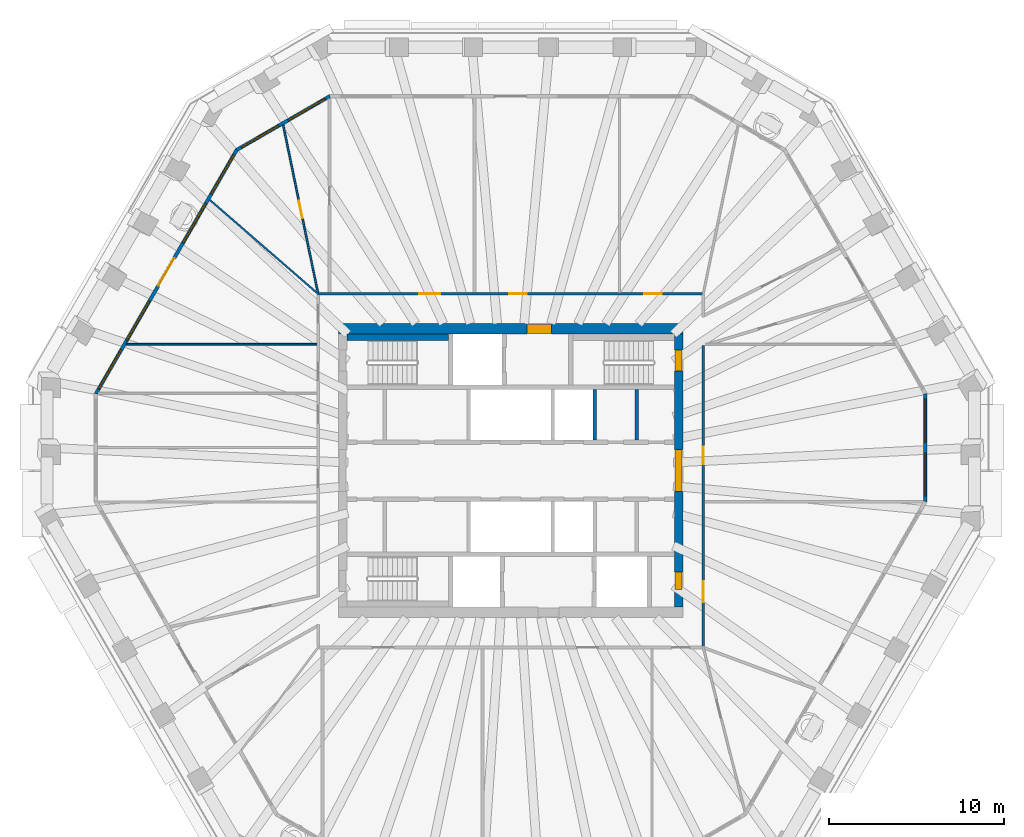
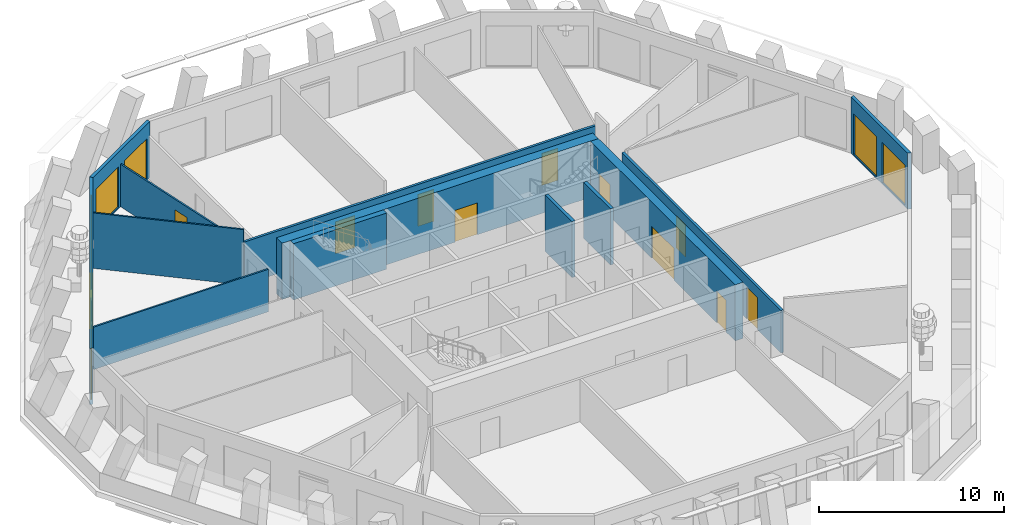
# One storey, part 6 of 12: 13 walls, 11 doors, 9 windows, 20 openings.
"""IFC4 building model written with IfcOpenShell, lengths in metres."""

from ifc_helpers import new_model, si_unit, direction, frame, frame_2d, origin, place, context, subcontext, project, spatial, polyline, rectangle, outline, extrude, material, layer, layer_set, type_object, element, fill, save


model = new_model("IFC4")

# Units and contexts
model_context = context("Model", 3, precision=1e-05, world=origin(), true_north=direction((0.0, 1.0)))
body_context = subcontext(model_context, "Body", "Model", "MODEL_VIEW")
ifc_project = project(units=[si_unit("LENGTHUNIT", "METRE"), si_unit("AREAUNIT", "SQUARE_METRE"), si_unit("VOLUMEUNIT", "CUBIC_METRE"), si_unit("PLANEANGLEUNIT", "RADIAN"), si_unit("MASSUNIT", "GRAM", prefix="KILO")], contexts=[model_context])

# Site, building, storey
site_placement = place(None, origin())
site = spatial("IfcSite", under=ifc_project, at=site_placement, CompositionType="ELEMENT")
building_placement = place(site_placement, origin())
building = spatial("IfcBuilding", under=site, at=building_placement, Name="Frailejon Research Tower", CompositionType="ELEMENT")
storey_placement = place(building_placement, frame((0.0, 0.0, 253.39990234375)))
storey = spatial("IfcBuildingStorey", under=building, at=storey_placement, Name="L55", CompositionType="ELEMENT", Elevation=253.39990234375)

# Wall, openings, doors
ifc_material_1 = material(Name="Concrete C50/60", Category="concrete")
ifc_layer_1 = layer(ifc_material_1, 0.5)
ifc_layer_set_1 = layer_set([ifc_layer_1], Name="Core shear wall 500 C50/60")
wall_type_1 = type_object("IfcWallType", Name="Core shear wall 500 C50/60", PredefinedType="SHEAR", material=ifc_layer_set_1)
wall_1_placement = place(storey_placement, frame((9.60009765625, -7.800048828125, 0.0), z_axis=(0.0, 0.0, 1.0), x_axis=(0.0, 1.0, 0.0)))
wall_1 = element("IfcWall", 1, at=wall_1_placement, inside=storey, type_object=wall_type_1, Name="Core shear wall", PredefinedType="SHEAR", context=body_context, shape_type="SweptSolid", body=[
    extrude(rectangle(XDim=15.60009765625, YDim=0.5, at=frame_2d((7.800048828125, 0.0))), origin(), (0.0, 0.0, 1.0), 3.7001953125),
])
opening_1_placement = place(wall_1_placement, frame((6.60009765625, 0.0, 0.0)))
opening_1 = element("IfcOpeningElement", 2, at=opening_1_placement, cuts=wall_1, Name="Opening D2", PredefinedType="OPENING", context=body_context, shape_type="SweptSolid", body=[
    extrude(rectangle(XDim=2.39990234375, YDim=2.10009765625, at=frame_2d((1.199951171875, 1.050048828125))), frame((0.0, 0.260009765625, 0.0), z_axis=(0.0, -1.0, 0.0), x_axis=(1.0, 0.0, 0.0)), (0.0, 0.0, 1.0), 0.52001953125),
])
opening_2_placement = place(wall_1_placement, frame((13.5, 0.0, 0.0)))
opening_2 = element("IfcOpeningElement", 3, at=opening_2_placement, cuts=wall_1, Name="Opening D1", PredefinedType="OPENING", context=body_context, shape_type="SweptSolid", body=[
    extrude(rectangle(XDim=1.199951171875, YDim=2.10009765625, at=frame_2d((0.60009765625, 1.050048828125))), frame((0.0, 0.260009765625, 0.0), z_axis=(0.0, -1.0, 0.0), x_axis=(1.0, 0.0, 0.0)), (0.0, 0.0, 1.0), 0.52001953125),
])
opening_3_placement = place(wall_1_placement, frame((1.0, 0.0, 0.0)))
opening_3 = element("IfcOpeningElement", 4, at=opening_3_placement, cuts=wall_1, Name="Opening D4", PredefinedType="OPENING", context=body_context, shape_type="SweptSolid", body=[
    extrude(rectangle(XDim=1.0, YDim=2.10009765625, at=frame_2d((0.5, 1.050048828125))), frame((0.0, 0.260009765625, 0.0), z_axis=(0.0, -1.0, 0.0), x_axis=(1.0, 0.0, 0.0)), (0.0, 0.0, 1.0), 0.52001953125),
])
ifc_material_2 = material(Name="Steel", Category="steel")
door_type_1 = type_object("IfcDoorType", Name="Lobby double door", OperationType="DOUBLE_DOOR_SINGLE_SWING", PredefinedType="DOOR", material=ifc_material_2)
door_1_placement = place(opening_1_placement, origin())
door_1 = element("IfcDoor", 5, at=door_1_placement, inside=storey, type_object=door_type_1, Name="Lobby door", OperationType="DOUBLE_DOOR_SINGLE_SWING", OverallHeight=2.10009765625, OverallWidth=2.39990234375, PredefinedType="DOOR", context=body_context, shape_type="SweptSolid", body=[
    extrude(rectangle(XDim=2.39990234375, YDim=2.10009765625, at=frame_2d((1.199951171875, 1.050048828125))), frame((0.0, 0.199951171875, 0.0), z_axis=(0.0, -1.0, 0.0), x_axis=(1.0, 0.0, 0.0)), (0.0, 0.0, 1.0), 0.39990234375),
])
fill(opening_1, door_1)
ifc_material_3 = material(Name="Steel", Category="steel")
door_type_2 = type_object("IfcDoorType", Name="Service door", OperationType="SINGLE_SWING_LEFT", PredefinedType="DOOR", material=ifc_material_3)
door_2_placement = place(opening_3_placement, origin())
door_2 = element("IfcDoor", 6, at=door_2_placement, inside=storey, type_object=door_type_2, Name="Riser door", OperationType="SINGLE_SWING_LEFT", OverallHeight=2.10009765625, OverallWidth=1.0, PredefinedType="DOOR", context=body_context, shape_type="SweptSolid", body=[
    extrude(rectangle(XDim=1.0, YDim=2.10009765625, at=frame_2d((0.5, 1.050048828125))), frame((0.0, 0.199951171875, 0.0), z_axis=(0.0, -1.0, 0.0), x_axis=(1.0, 0.0, 0.0)), (0.0, 0.0, 1.0), 0.39990234375),
])
fill(opening_3, door_2)
ifc_material_4 = material(Name="Steel", Category="steel")
door_type_3 = type_object("IfcDoorType", Name="Stair door", OperationType="SINGLE_SWING_LEFT", PredefinedType="DOOR", material=ifc_material_4)
door_3_placement = place(opening_2_placement, origin())
door_3 = element("IfcDoor", 7, at=door_3_placement, inside=storey, type_object=door_type_3, Name="Stair door ST3", OperationType="SINGLE_SWING_RIGHT", OverallHeight=2.10009765625, OverallWidth=1.199951171875, PredefinedType="DOOR", context=body_context, shape_type="SweptSolid", body=[
    extrude(rectangle(XDim=1.199951171875, YDim=2.10009765625, at=frame_2d((0.60009765625, 1.050048828125))), frame((0.0, 0.199951171875, 0.0), z_axis=(0.0, -1.0, 0.0), x_axis=(1.0, 0.0, 0.0)), (0.0, 0.0, 1.0), 0.39990234375),
])
fill(opening_2, door_3)

# Wall, opening, door
ifc_material_5 = material(Name="Concrete C50/60", Category="concrete")
ifc_layer_2 = layer(ifc_material_5, 0.60009765625)
ifc_layer_set_2 = layer_set([ifc_layer_2], Name="Core shear wall 600 C50/60")
wall_type_2 = type_object("IfcWallType", Name="Core shear wall 600 C50/60", PredefinedType="SHEAR", material=ifc_layer_set_2)
wall_2_placement = place(storey_placement, frame((-9.85009765625, 8.10009765625, 0.0), z_axis=(0.0, 0.0, 1.0), x_axis=(1.0, 0.0, 0.0)))
wall_2 = element("IfcWall", 8, at=wall_2_placement, inside=storey, type_object=wall_type_2, Name="Core shear wall", PredefinedType="SHEAR", context=body_context, shape_type="SweptSolid", body=[
    extrude(rectangle(XDim=19.7001953125, YDim=0.60009765625, at=frame_2d((9.85009765625, 0.0))), origin(), (0.0, 0.0, 1.0), 3.7001953125),
])
opening_4_placement = place(wall_2_placement, frame((10.77490234375, 0.0, 0.0)))
opening_4 = element("IfcOpeningElement", 9, at=opening_4_placement, cuts=wall_2, Name="Opening D9", PredefinedType="OPENING", context=body_context, shape_type="SweptSolid", body=[
    extrude(rectangle(XDim=1.39990234375, YDim=2.10009765625, at=frame_2d((0.699951171875, 1.050048828125))), frame((0.0, 0.31005859375, 0.0), z_axis=(0.0, -1.0, 0.0), x_axis=(1.0, 0.0, 0.0)), (0.0, 0.0, 1.0), 0.6201171875),
])
ifc_material_6 = material(Name="Steel", Category="steel")
door_type_4 = type_object("IfcDoorType", Name="Goods lobby door", OperationType="DOUBLE_DOOR_SINGLE_SWING", PredefinedType="DOOR", material=ifc_material_6)
door_4_placement = place(opening_4_placement, origin())
door_4 = element("IfcDoor", 10, at=door_4_placement, inside=storey, type_object=door_type_4, Name="Goods lobby door", OperationType="DOUBLE_DOOR_SINGLE_SWING", OverallHeight=2.10009765625, OverallWidth=1.39990234375, PredefinedType="DOOR", context=body_context, shape_type="SweptSolid", body=[
    extrude(rectangle(XDim=1.39990234375, YDim=2.10009765625, at=frame_2d((0.699951171875, 1.050048828125))), frame((0.0, 0.25, 0.0), z_axis=(0.0, -1.0, 0.0), x_axis=(1.0, 0.0, 0.0)), (0.0, 0.0, 1.0), 0.5),
])
fill(opening_4, door_4)

# Wall, openings, doors
ifc_material_7 = material(Name="Gypsum board and masonry partition", Category="masonry")
ifc_layer_3 = layer(ifc_material_7, 0.14990234375)
ifc_layer_set_3 = layer_set([ifc_layer_3], Name="Corridor wall EI 60, gypsum on steel studs 150")
wall_type_3 = type_object("IfcWallType", Name="Corridor wall EI 60, gypsum on steel studs 150", PredefinedType="PARTITIONING", material=ifc_layer_set_3)
wall_3_placement = place(storey_placement, frame((11.0, -10.02490234375, 0.0), z_axis=(0.0, 0.0, 1.0), x_axis=(0.0, 1.0, 0.0)))
wall_3 = element("IfcWall", 11, at=wall_3_placement, inside=storey, type_object=wall_type_3, Name="T:IW:L55:005", PredefinedType="PARTITIONING", context=body_context, shape_type="SweptSolid", body=[
    extrude(rectangle(XDim=17.1748046875, YDim=0.14990234375, at=frame_2d((8.58740234375, 0.0))), origin(), (0.0, 0.0, 1.0), 2.800048828125),
])
opening_5_placement = place(wall_3_placement, frame((10.39990234375, 0.0, 0.0)))
opening_5 = element("IfcOpeningElement", 12, at=opening_5_placement, cuts=wall_3, Name="Opening D2071", PredefinedType="OPENING", context=body_context, shape_type="SweptSolid", body=[
    extrude(rectangle(XDim=1.0, YDim=2.10009765625, at=frame_2d((0.5, 1.050048828125))), frame((0.0, 0.0849609375, 0.0), z_axis=(0.0, -1.0, 0.0), x_axis=(1.0, 0.0, 0.0)), (0.0, 0.0, 1.0), 0.169921875),
])
opening_6_placement = place(wall_3_placement, frame((2.520751953125, 0.0, 0.0)))
opening_6 = element("IfcOpeningElement", 13, at=opening_6_placement, cuts=wall_3, Name="Opening D2090", PredefinedType="OPENING", context=body_context, shape_type="SweptSolid", body=[
    extrude(rectangle(XDim=1.199951171875, YDim=2.10009765625, at=frame_2d((0.60009765625, 1.050048828125))), frame((0.0, 0.0849609375, 0.0), z_axis=(0.0, -1.0, 0.0), x_axis=(1.0, 0.0, 0.0)), (0.0, 0.0, 1.0), 0.169921875),
])
ifc_material_8 = material(Name="Timber door leaf", Category="wood")
door_type_5 = type_object("IfcDoorType", Name="Door laboratory, timber, vision panel 1200", OperationType="NOTDEFINED", PredefinedType="DOOR", material=ifc_material_8)
door_5_placement = place(opening_6_placement, origin())
door_5 = element("IfcDoor", 14, at=door_5_placement, inside=storey, type_object=door_type_5, Name="D2090", OperationType="DOUBLE_DOOR_SINGLE_SWING", OverallHeight=2.10009765625, OverallWidth=1.199951171875, PredefinedType="DOOR", context=body_context, shape_type="SweptSolid", body=[
    extrude(rectangle(XDim=1.199951171875, YDim=2.10009765625, at=frame_2d((0.60009765625, 1.050048828125))), frame((0.0, 0.02490234375, 0.0), z_axis=(0.0, -1.0, 0.0), x_axis=(1.0, 0.0, 0.0)), (0.0, 0.0, 1.0), 0.050048828125),
])
fill(opening_6, door_5)
ifc_material_9 = material(Name="Timber door leaf", Category="wood")
door_type_6 = type_object("IfcDoorType", Name="Door single leaf, timber, steel frame 1000", OperationType="NOTDEFINED", PredefinedType="DOOR", material=ifc_material_9)
door_6_placement = place(opening_5_placement, origin())
door_6 = element("IfcDoor", 15, at=door_6_placement, inside=storey, type_object=door_type_6, Name="D2071", OperationType="SINGLE_SWING_RIGHT", OverallHeight=2.10009765625, OverallWidth=1.0, PredefinedType="DOOR", context=body_context, shape_type="SweptSolid", body=[
    extrude(rectangle(XDim=1.0, YDim=2.10009765625, at=frame_2d((0.5, 1.050048828125))), frame((0.0, 0.02490234375, 0.0), z_axis=(0.0, -1.0, 0.0), x_axis=(1.0, 0.0, 0.0)), (0.0, 0.0, 1.0), 0.050048828125),
])
fill(opening_5, door_6)

wall_4_placement = place(storey_placement, frame((-10.925048828125, 10.10009765625, 0.0), z_axis=(0.0, 0.0, 1.0), x_axis=(1.0, 0.0, 0.0)))
wall_4 = element("IfcWall", 16, at=wall_4_placement, inside=storey, type_object=wall_type_3, Name="T:IW:L55:007", PredefinedType="PARTITIONING", context=body_context, shape_type="SweptSolid", body=[
    extrude(rectangle(XDim=21.875, YDim=0.14990234375, at=frame_2d((10.9375, 0.0))), origin(), (0.0, 0.0, 1.0), 2.800048828125),
])
opening_7_placement = place(wall_4_placement, frame((18.568115234375, 0.0, 0.0)))
opening_7 = element("IfcOpeningElement", 17, at=opening_7_placement, cuts=wall_4, Name="Opening D2074", PredefinedType="OPENING", context=body_context, shape_type="SweptSolid", body=[
    extrude(rectangle(XDim=1.0, YDim=2.10009765625, at=frame_2d((0.5, 1.050048828125))), frame((0.0, 0.0849609375, 0.0), z_axis=(0.0, -1.0, 0.0), x_axis=(1.0, 0.0, 0.0)), (0.0, 0.0, 1.0), 0.169921875),
])
opening_8_placement = place(wall_4_placement, frame((10.85009765625, 0.0, 0.0)))
opening_8 = element("IfcOpeningElement", 18, at=opening_8_placement, cuts=wall_4, Name="Opening D2075", PredefinedType="OPENING", context=body_context, shape_type="SweptSolid", body=[
    extrude(rectangle(XDim=1.0, YDim=2.10009765625, at=frame_2d((0.5, 1.050048828125))), frame((0.0, 0.0849609375, 0.0), z_axis=(0.0, -1.0, 0.0), x_axis=(1.0, 0.0, 0.0)), (0.0, 0.0, 1.0), 0.169921875),
])
opening_9_placement = place(wall_4_placement, frame((5.70849609375, 0.0, 0.0)))
opening_9 = element("IfcOpeningElement", 19, at=opening_9_placement, cuts=wall_4, Name="Opening D2076", PredefinedType="OPENING", context=body_context, shape_type="SweptSolid", body=[
    extrude(rectangle(XDim=1.199951171875, YDim=2.10009765625, at=frame_2d((0.60009765625, 1.050048828125))), frame((0.0, 0.0849609375, 0.0), z_axis=(0.0, -1.0, 0.0), x_axis=(1.0, 0.0, 0.0)), (0.0, 0.0, 1.0), 0.169921875),
])
door_7_placement = place(opening_9_placement, origin())
door_7 = element("IfcDoor", 20, at=door_7_placement, inside=storey, type_object=door_type_5, Name="D2076", OperationType="DOUBLE_DOOR_SINGLE_SWING", OverallHeight=2.10009765625, OverallWidth=1.199951171875, PredefinedType="DOOR", context=body_context, shape_type="SweptSolid", body=[
    extrude(rectangle(XDim=1.199951171875, YDim=2.10009765625, at=frame_2d((0.60009765625, 1.050048828125))), frame((0.0, 0.02490234375, 0.0), z_axis=(0.0, -1.0, 0.0), x_axis=(1.0, 0.0, 0.0)), (0.0, 0.0, 1.0), 0.050048828125),
])
fill(opening_9, door_7)
door_8_placement = place(opening_7_placement, origin())
door_8 = element("IfcDoor", 21, at=door_8_placement, inside=storey, type_object=door_type_6, Name="D2074", OperationType="SINGLE_SWING_RIGHT", OverallHeight=2.10009765625, OverallWidth=1.0, PredefinedType="DOOR", context=body_context, shape_type="SweptSolid", body=[
    extrude(rectangle(XDim=1.0, YDim=2.10009765625, at=frame_2d((0.5, 1.050048828125))), frame((0.0, 0.02490234375, 0.0), z_axis=(0.0, -1.0, 0.0), x_axis=(1.0, 0.0, 0.0)), (0.0, 0.0, 1.0), 0.050048828125),
])
fill(opening_7, door_8)
door_9_placement = place(opening_8_placement, origin())
door_9 = element("IfcDoor", 22, at=door_9_placement, inside=storey, type_object=door_type_6, Name="D2075", OperationType="SINGLE_SWING_LEFT", OverallHeight=2.10009765625, OverallWidth=1.0, PredefinedType="DOOR", context=body_context, shape_type="SweptSolid", body=[
    extrude(rectangle(XDim=1.0, YDim=2.10009765625, at=frame_2d((0.5, 1.050048828125))), frame((0.0, 0.02490234375, 0.0), z_axis=(0.0, -1.0, 0.0), x_axis=(1.0, 0.0, 0.0)), (0.0, 0.0, 1.0), 0.050048828125),
])
fill(opening_8, door_9)

# Wall
ifc_material_10 = material(Name="Gypsum board and masonry partition", Category="masonry")
ifc_layer_4 = layer(ifc_material_10, 0.10009765625)
ifc_layer_set_4 = layer_set([ifc_layer_4], Name="Partition, gypsum on steel studs 100")
wall_type_4 = type_object("IfcWallType", Name="Partition, gypsum on steel studs 100", PredefinedType="PARTITIONING", material=ifc_layer_set_4)
wall_5_placement = place(storey_placement, frame((-21.951904296875, 7.218017578125, 0.0), z_axis=(0.0, 0.0, 1.0), x_axis=(1.0, 0.0, 0.0)))
element("IfcWall", 23, at=wall_5_placement, inside=storey, type_object=wall_type_4, Name="T:IW:L55:017", PredefinedType="PARTITIONING", context=body_context, shape_type="SweptSolid", body=[
    extrude(rectangle(XDim=10.876953125, YDim=0.10009765625, at=frame_2d((5.4384765625, 0.0))), origin(), (0.0, 0.0, 1.0), 2.800048828125),
])

# Wall, opening, door
wall_6_placement = place(storey_placement, frame((-12.99853515625, 19.7421875, 0.0), z_axis=(0.0, 0.0, 1.0), x_axis=(0.202968982268, -0.979185167492, 0.0)))
wall_6 = element("IfcWall", 24, at=wall_6_placement, inside=storey, type_object=wall_type_4, Name="T:IW:L55:021", PredefinedType="PARTITIONING", context=body_context, shape_type="SweptSolid", body=[
    extrude(rectangle(XDim=9.797119140625, YDim=0.10009765625, at=frame_2d((4.8984375, 0.0))), origin(), (0.0, 0.0, 1.0), 2.800048828125),
])
opening_10_placement = place(wall_6_placement, frame((4.423583984375, 0.0, 0.0)))
opening_10 = element("IfcOpeningElement", 25, at=opening_10_placement, cuts=wall_6, Name="Opening D2078", PredefinedType="OPENING", context=body_context, shape_type="SweptSolid", body=[
    extrude(rectangle(XDim=1.0, YDim=2.10009765625, at=frame_2d((0.5, 1.050048828125))), frame((0.0, 0.06005859375, 0.0), z_axis=(0.0, -1.0, 0.0), x_axis=(1.0, 0.0, 0.0)), (0.0, 0.0, 1.0), 0.1201171875),
])
door_10_placement = place(opening_10_placement, origin())
door_10 = element("IfcDoor", 26, at=door_10_placement, inside=storey, type_object=door_type_6, Name="D2078", OperationType="SINGLE_SWING_RIGHT", OverallHeight=2.10009765625, OverallWidth=1.0, PredefinedType="DOOR", context=body_context, shape_type="SweptSolid", body=[
    extrude(rectangle(XDim=1.0, YDim=2.10009765625, at=frame_2d((0.5, 1.050048828125))), frame((0.0, 0.02490234375, 0.0), z_axis=(0.0, -1.0, 0.0), x_axis=(1.0, 0.0, 0.0)), (0.0, 0.0, 1.0), 0.050048828125),
])
fill(opening_10, door_10)

# Walls
wall_7_placement = place(storey_placement, frame((-17.1884765625, 15.468505859375, 0.0), z_axis=(0.0, 0.0, 1.0), x_axis=(0.75537233605, -0.655295836954, 0.0)))
element("IfcWall", 27, at=wall_7_placement, inside=storey, type_object=wall_type_4, Name="T:IW:L55:022", PredefinedType="PARTITIONING", context=body_context, shape_type="SweptSolid", body=[
    extrude(rectangle(XDim=8.267578125, YDim=0.10009765625, at=frame_2d((4.1337890625, 0.0))), origin(), (0.0, 0.0, 1.0), 3.650146484375),
])
ifc_material_11 = material(Name="Concrete C50/60", Category="concrete")
ifc_layer_5 = layer(ifc_material_11, 0.199951171875)
ifc_layer_set_5 = layer_set([ifc_layer_5], Name="Shaft wall 200 C50/60")
wall_type_5 = type_object("IfcWallType", Name="Shaft wall 200 C50/60", PredefinedType="SOLIDWALL", material=ifc_layer_set_5)
for number, where, z_axis, x_axis, name in (
    (28, (4.800048828125, 1.75, 0.0), (0.0, 0.0, 1.0), (0.0, 1.0, 0.0), "Shaft wall"),
    (29, (7.199951171875, 1.75, 0.0), (0.0, 0.0, 1.0), (0.0, 1.0, 0.0), "Shaft wall"),
):
    element("IfcWall", number, at=place(storey_placement, frame(where, z_axis=z_axis, x_axis=x_axis)), inside=storey, type_object=wall_type_5, Name=name, PredefinedType="SOLIDWALL", context=body_context, shape_type="SweptSolid", body=[
        extrude(rectangle(XDim=2.89990234375, YDim=0.199951171875, at=frame_2d((1.449951171875, 0.0))), origin(), (0.0, 0.0, 1.0), 3.7001953125),
    ])
ifc_material_12 = material(Name="Concrete C50/60", Category="concrete")
ifc_layer_6 = layer(ifc_material_12, 0.35009765625)
ifc_layer_set_6 = layer_set([ifc_layer_6], Name="Shaft wall 350 C50/60")
wall_type_6 = type_object("IfcWallType", Name="Shaft wall 350 C50/60", PredefinedType="SOLIDWALL", material=ifc_layer_set_6)
wall_8_placement = place(storey_placement, frame((-9.35009765625, 7.625, 0.0), z_axis=(0.0, 0.0, 1.0), x_axis=(1.0, 0.0, 0.0)))
element("IfcWall", 30, at=wall_8_placement, inside=storey, type_object=wall_type_6, Name="Shaft wall", PredefinedType="SOLIDWALL", context=body_context, shape_type="SweptSolid", body=[
    extrude(rectangle(XDim=5.800048828125, YDim=0.35009765625, at=frame_2d((2.89990234375, 0.0))), origin(), (0.0, 0.0, 1.0), 3.7001953125),
])

# Wall, openings, windows
ifc_material_13 = material(Name="Concrete C40/50 precast window wall panel", Category="concrete")
ifc_layer_7 = layer(ifc_material_13, 0.199951171875)
ifc_layer_set_7 = layer_set([ifc_layer_7], Name="Window wall 200")
wall_type_7 = type_object("IfcWallType", Name="Window wall 200", PredefinedType="SOLIDWALL", material=ifc_layer_set_7)
wall_9_placement = place(storey_placement, frame((23.6962890625, -1.756591796875, 0.0), z_axis=(0.0, 0.0, 1.0), x_axis=(0.0, 1.0, 0.0)))
wall_9 = element("IfcWall", 31, at=wall_9_placement, inside=storey, type_object=wall_type_7, Name="Exterior wall L55", PredefinedType="SOLIDWALL", context=body_context, shape_type="SweptSolid", body=[
    extrude(outline(polyline([(-0.02685546875, -0.10009765625), (1.007568359375, -0.10009765625), (2.0419921875, -0.10009765625), (3.07666015625, -0.10009765625), (4.111083984375, -0.10009765625), (5.1455078125, -0.10009765625), (6.179931640625, -0.10009765625), (6.126220703125, 0.10009765625), (5.109619140625, 0.10009765625), (4.093017578125, 0.10009765625), (3.07666015625, 0.10009765625), (2.06005859375, 0.10009765625), (1.04345703125, 0.10009765625), (0.02685546875, 0.10009765625), (-0.02685546875, -0.10009765625)])), origin(), (0.0, 0.0, 1.0), 3.7001953125),
])
opening_11_placement = place(wall_9_placement, frame((0.313232421875, 0.0, 0.10009765625)))
opening_11 = element("IfcOpeningElement", 32, at=opening_11_placement, cuts=wall_9, Name="Opening W17", PredefinedType="OPENING", context=body_context, shape_type="SweptSolid", body=[
    extrude(rectangle(XDim=2.449951171875, YDim=2.64990234375, at=frame_2d((1.22509765625, 1.324951171875))), frame((0.0, 0.10986328125, 0.0), z_axis=(0.0, -1.0, 0.0), x_axis=(1.0, 0.0, 0.0)), (0.0, 0.0, 1.0), 0.219970703125),
])
opening_12_placement = place(wall_9_placement, frame((3.3896484375, 0.0, 0.10009765625)))
opening_12 = element("IfcOpeningElement", 33, at=opening_12_placement, cuts=wall_9, Name="Opening W17", PredefinedType="OPENING", context=body_context, shape_type="SweptSolid", body=[
    extrude(rectangle(XDim=2.449951171875, YDim=2.64990234375, at=frame_2d((1.22509765625, 1.324951171875))), frame((0.0, 0.10986328125, 0.0), z_axis=(0.0, -1.0, 0.0), x_axis=(1.0, 0.0, 0.0)), (0.0, 0.0, 1.0), 0.219970703125),
])
ifc_material_14 = material(Name="Aluminium framed double glazing", Category="aluminium")
window_type_1 = type_object("IfcWindowType", Name="Window 2450x2650", PartitioningType="SINGLE_PANEL", PredefinedType="WINDOW", material=ifc_material_14)
window_1_placement = place(opening_11_placement, origin())
window_1 = element("IfcWindow", 34, at=window_1_placement, inside=storey, type_object=window_type_1, Name="Window L55", OverallHeight=2.64990234375, OverallWidth=2.449951171875, PartitioningType="SINGLE_PANEL", PredefinedType="WINDOW", context=body_context, shape_type="SweptSolid", body=[
    extrude(rectangle(XDim=2.449951171875, YDim=2.64990234375, at=frame_2d((1.22509765625, 1.324951171875))), frame((0.0, 0.030029296875, 0.0), z_axis=(0.0, -1.0, 0.0), x_axis=(1.0, 0.0, 0.0)), (0.0, 0.0, 1.0), 0.06005859375),
])
fill(opening_11, window_1)
window_2_placement = place(opening_12_placement, origin())
window_2 = element("IfcWindow", 35, at=window_2_placement, inside=storey, type_object=window_type_1, Name="Window L55", OverallHeight=2.64990234375, OverallWidth=2.449951171875, PartitioningType="SINGLE_PANEL", PredefinedType="WINDOW", context=body_context, shape_type="SweptSolid", body=[
    extrude(rectangle(XDim=2.449951171875, YDim=2.64990234375, at=frame_2d((1.22509765625, 1.324951171875))), frame((0.0, 0.030029296875, 0.0), z_axis=(0.0, -1.0, 0.0), x_axis=(1.0, 0.0, 0.0)), (0.0, 0.0, 1.0), 0.06005859375),
])
fill(opening_12, window_2)

wall_10_placement = place(storey_placement, frame((-10.326904296875, 21.39990234375, 0.0), z_axis=(0.0, 0.0, 1.0), x_axis=(-0.866029647142, -0.499992650217, 0.0)))
wall_10 = element("IfcWall", 36, at=wall_10_placement, inside=storey, type_object=wall_type_7, Name="Exterior wall L55", PredefinedType="SOLIDWALL", context=body_context, shape_type="SweptSolid", body=[
    extrude(outline(polyline([(-0.02685546875, -0.10009765625), (1.007568359375, -0.10009765625), (2.0419921875, -0.10009765625), (3.076416015625, -0.10009765625), (4.11083984375, -0.10009765625), (5.145263671875, -0.10009765625), (6.1796875, -0.10009765625), (6.1259765625, 0.10009765625), (5.109375, 0.10009765625), (4.093017578125, 0.10009765625), (3.076416015625, 0.10009765625), (2.059814453125, 0.10009765625), (1.04345703125, 0.10009765625), (0.02685546875, 0.10009765625), (-0.02685546875, -0.10009765625)])), origin(), (0.0, 0.0, 1.0), 3.7001953125),
])
opening_13_placement = place(wall_10_placement, frame((0.313232421875, 0.0, 0.10009765625)))
opening_13 = element("IfcOpeningElement", 37, at=opening_13_placement, cuts=wall_10, Name="Opening W17", PredefinedType="OPENING", context=body_context, shape_type="SweptSolid", body=[
    extrude(rectangle(XDim=2.449951171875, YDim=2.64990234375, at=frame_2d((1.22509765625, 1.324951171875))), frame((0.0, 0.10986328125, 0.0), z_axis=(0.0, -1.0, 0.0), x_axis=(1.0, 0.0, 0.0)), (0.0, 0.0, 1.0), 0.219970703125),
])
opening_14_placement = place(wall_10_placement, frame((3.3896484375, 0.0, 0.10009765625)))
opening_14 = element("IfcOpeningElement", 38, at=opening_14_placement, cuts=wall_10, Name="Opening W17", PredefinedType="OPENING", context=body_context, shape_type="SweptSolid", body=[
    extrude(rectangle(XDim=2.449951171875, YDim=2.64990234375, at=frame_2d((1.22509765625, 1.324951171875))), frame((0.0, 0.10986328125, 0.0), z_axis=(0.0, -1.0, 0.0), x_axis=(1.0, 0.0, 0.0)), (0.0, 0.0, 1.0), 0.219970703125),
])
window_3_placement = place(opening_13_placement, origin())
window_3 = element("IfcWindow", 39, at=window_3_placement, inside=storey, type_object=window_type_1, Name="Window L55", OverallHeight=2.64990234375, OverallWidth=2.449951171875, PartitioningType="SINGLE_PANEL", PredefinedType="WINDOW", context=body_context, shape_type="SweptSolid", body=[
    extrude(rectangle(XDim=2.449951171875, YDim=2.64990234375, at=frame_2d((1.22509765625, 1.324951171875))), frame((0.0, 0.030029296875, 0.0), z_axis=(0.0, -1.0, 0.0), x_axis=(1.0, 0.0, 0.0)), (0.0, 0.0, 1.0), 0.06005859375),
])
fill(opening_13, window_3)
window_4_placement = place(opening_14_placement, origin())
window_4 = element("IfcWindow", 40, at=window_4_placement, inside=storey, type_object=window_type_1, Name="Window L55", OverallHeight=2.64990234375, OverallWidth=2.449951171875, PartitioningType="SINGLE_PANEL", PredefinedType="WINDOW", context=body_context, shape_type="SweptSolid", body=[
    extrude(rectangle(XDim=2.449951171875, YDim=2.64990234375, at=frame_2d((1.22509765625, 1.324951171875))), frame((0.0, 0.030029296875, 0.0), z_axis=(0.0, -1.0, 0.0), x_axis=(1.0, 0.0, 0.0)), (0.0, 0.0, 1.0), 0.06005859375),
])
fill(opening_14, window_4)

# Wall, openings, door, windows
wall_11_placement = place(storey_placement, frame((-15.655517578125, 18.323486328125, 0.0), z_axis=(0.0, 0.0, 1.0), x_axis=(-0.500000613642, -0.866025049498, 0.0)))
wall_11 = element("IfcWall", 41, at=wall_11_placement, inside=storey, type_object=wall_type_7, Name="Exterior wall L55", PredefinedType="SOLIDWALL", context=body_context, shape_type="SweptSolid", body=[
    extrude(outline(polyline([(-0.02685546875, -0.10009765625), (0.981689453125, -0.10009765625), (1.989990234375, -0.10009765625), (2.99853515625, -0.10009765625), (4.0068359375, -0.10009765625), (5.015380859375, -0.10009765625), (6.02392578125, -0.10009765625), (7.0322265625, -0.10009765625), (8.040771484375, -0.10009765625), (9.04931640625, -0.10009765625), (10.0576171875, -0.10009765625), (11.066162109375, -0.10009765625), (12.07470703125, -0.10009765625), (13.0830078125, -0.10009765625), (14.091552734375, -0.10009765625), (15.099853515625, -0.10009765625), (16.1083984375, -0.10009765625), (16.0546875, 0.10009765625), (15.052978515625, 0.10009765625), (14.05126953125, 0.10009765625), (13.049560546875, 0.10009765625), (12.0478515625, 0.10009765625), (11.0458984375, 0.10009765625), (10.044189453125, 0.10009765625), (9.04248046875, 0.10009765625), (8.040771484375, 0.10009765625), (7.0390625, 0.10009765625), (6.037353515625, 0.10009765625), (5.03564453125, 0.10009765625), (4.03369140625, 0.10009765625), (3.031982421875, 0.10009765625), (2.0302734375, 0.10009765625), (1.028564453125, 0.10009765625), (0.02685546875, 0.10009765625), (-0.02685546875, -0.10009765625)])), origin(), (0.0, 0.0, 1.0), 3.7001953125),
])
opening_15_placement = place(wall_11_placement, frame((0.30810546875, 0.0, 0.10009765625)))
opening_15 = element("IfcOpeningElement", 42, at=opening_15_placement, cuts=wall_11, Name="Opening W18", PredefinedType="OPENING", context=body_context, shape_type="SweptSolid", body=[
    extrude(rectangle(XDim=2.60009765625, YDim=2.64990234375, at=frame_2d((1.300048828125, 1.324951171875))), frame((0.0, 0.10986328125, 0.0), z_axis=(0.0, -1.0, 0.0), x_axis=(1.0, 0.0, 0.0)), (0.0, 0.0, 1.0), 0.219970703125),
])
opening_16_placement = place(wall_11_placement, frame((3.5244140625, 0.0, 0.10009765625)))
opening_16 = element("IfcOpeningElement", 43, at=opening_16_placement, cuts=wall_11, Name="Opening W18", PredefinedType="OPENING", context=body_context, shape_type="SweptSolid", body=[
    extrude(rectangle(XDim=2.60009765625, YDim=2.64990234375, at=frame_2d((1.300048828125, 1.324951171875))), frame((0.0, 0.10986328125, 0.0), z_axis=(0.0, -1.0, 0.0), x_axis=(1.0, 0.0, 0.0)), (0.0, 0.0, 1.0), 0.219970703125),
])
opening_17_placement = place(wall_11_placement, frame((7.140869140625, 0.0, 0.0)))
opening_17 = element("IfcOpeningElement", 44, at=opening_17_placement, cuts=wall_11, Name="Opening LG55-3", PredefinedType="OPENING", context=body_context, shape_type="SweptSolid", body=[
    extrude(rectangle(XDim=1.800048828125, YDim=2.39990234375, at=frame_2d((0.89990234375, 1.199951171875))), frame((0.0, 0.10986328125, 0.0), z_axis=(0.0, -1.0, 0.0), x_axis=(1.0, 0.0, 0.0)), (0.0, 0.0, 1.0), 0.219970703125),
])
opening_18_placement = place(wall_11_placement, frame((7.140869140625, 0.0, 2.550048828125)))
opening_18 = element("IfcOpeningElement", 45, at=opening_18_placement, cuts=wall_11, Name="Opening W19", PredefinedType="OPENING", context=body_context, shape_type="SweptSolid", body=[
    extrude(rectangle(XDim=1.800048828125, YDim=0.199951171875, at=frame_2d((0.89990234375, 0.10009765625))), frame((0.0, 0.10986328125, 0.0), z_axis=(0.0, -1.0, 0.0), x_axis=(1.0, 0.0, 0.0)), (0.0, 0.0, 1.0), 0.219970703125),
])
opening_19_placement = place(wall_11_placement, frame((9.957275390625, 0.0, 0.10009765625)))
opening_19 = element("IfcOpeningElement", 46, at=opening_19_placement, cuts=wall_11, Name="Opening W18", PredefinedType="OPENING", context=body_context, shape_type="SweptSolid", body=[
    extrude(rectangle(XDim=2.60009765625, YDim=2.64990234375, at=frame_2d((1.300048828125, 1.324951171875))), frame((0.0, 0.10986328125, 0.0), z_axis=(0.0, -1.0, 0.0), x_axis=(1.0, 0.0, 0.0)), (0.0, 0.0, 1.0), 0.219970703125),
])
opening_20_placement = place(wall_11_placement, frame((13.173583984375, 0.0, 0.10009765625)))
opening_20 = element("IfcOpeningElement", 47, at=opening_20_placement, cuts=wall_11, Name="Opening W18", PredefinedType="OPENING", context=body_context, shape_type="SweptSolid", body=[
    extrude(rectangle(XDim=2.60009765625, YDim=2.64990234375, at=frame_2d((1.300048828125, 1.324951171875))), frame((0.0, 0.10986328125, 0.0), z_axis=(0.0, -1.0, 0.0), x_axis=(1.0, 0.0, 0.0)), (0.0, 0.0, 1.0), 0.219970703125),
])
ifc_material_15 = material(Name="Aluminium framed glazed door leaf", Category="aluminium")
door_type_7 = type_object("IfcDoorType", Name="Loggia door 1800x2400", OperationType="DOUBLE_DOOR_SINGLE_SWING", PredefinedType="DOOR", material=ifc_material_15)
door_11_placement = place(opening_17_placement, origin())
door_11 = element("IfcDoor", 48, at=door_11_placement, inside=storey, type_object=door_type_7, Name="Door LG55-3", OperationType="DOUBLE_DOOR_SINGLE_SWING", OverallHeight=2.39990234375, OverallWidth=1.800048828125, PredefinedType="DOOR", context=body_context, shape_type="SweptSolid", body=[
    extrude(rectangle(XDim=1.800048828125, YDim=2.39990234375, at=frame_2d((0.89990234375, 1.199951171875))), frame((0.0, 0.02490234375, 0.0), z_axis=(0.0, -1.0, 0.0), x_axis=(1.0, 0.0, 0.0)), (0.0, 0.0, 1.0), 0.050048828125),
])
fill(opening_17, door_11)
ifc_material_16 = material(Name="Aluminium framed double glazing", Category="aluminium")
window_type_2 = type_object("IfcWindowType", Name="Window 1800x200", PartitioningType="SINGLE_PANEL", PredefinedType="WINDOW", material=ifc_material_16)
window_5_placement = place(opening_18_placement, origin())
window_5 = element("IfcWindow", 49, at=window_5_placement, inside=storey, type_object=window_type_2, Name="Window L55", OverallHeight=0.199951171875, OverallWidth=1.800048828125, PartitioningType="SINGLE_PANEL", PredefinedType="WINDOW", context=body_context, shape_type="SweptSolid", body=[
    extrude(rectangle(XDim=1.800048828125, YDim=0.199951171875, at=frame_2d((0.89990234375, 0.10009765625))), frame((0.0, 0.030029296875, 0.0), z_axis=(0.0, -1.0, 0.0), x_axis=(1.0, 0.0, 0.0)), (0.0, 0.0, 1.0), 0.06005859375),
])
fill(opening_18, window_5)
ifc_material_17 = material(Name="Aluminium framed double glazing", Category="aluminium")
window_type_3 = type_object("IfcWindowType", Name="Window 2600x2650", PartitioningType="SINGLE_PANEL", PredefinedType="WINDOW", material=ifc_material_17)
window_6_placement = place(opening_15_placement, origin())
window_6 = element("IfcWindow", 50, at=window_6_placement, inside=storey, type_object=window_type_3, Name="Window L55", OverallHeight=2.64990234375, OverallWidth=2.60009765625, PartitioningType="SINGLE_PANEL", PredefinedType="WINDOW", context=body_context, shape_type="SweptSolid", body=[
    extrude(rectangle(XDim=2.60009765625, YDim=2.64990234375, at=frame_2d((1.300048828125, 1.324951171875))), frame((0.0, 0.030029296875, 0.0), z_axis=(0.0, -1.0, 0.0), x_axis=(1.0, 0.0, 0.0)), (0.0, 0.0, 1.0), 0.06005859375),
])
fill(opening_15, window_6)
window_7_placement = place(opening_16_placement, origin())
window_7 = element("IfcWindow", 51, at=window_7_placement, inside=storey, type_object=window_type_3, Name="Window L55", OverallHeight=2.64990234375, OverallWidth=2.60009765625, PartitioningType="SINGLE_PANEL", PredefinedType="WINDOW", context=body_context, shape_type="SweptSolid", body=[
    extrude(rectangle(XDim=2.60009765625, YDim=2.64990234375, at=frame_2d((1.300048828125, 1.324951171875))), frame((0.0, 0.030029296875, 0.0), z_axis=(0.0, -1.0, 0.0), x_axis=(1.0, 0.0, 0.0)), (0.0, 0.0, 1.0), 0.06005859375),
])
fill(opening_16, window_7)
window_8_placement = place(opening_19_placement, origin())
window_8 = element("IfcWindow", 52, at=window_8_placement, inside=storey, type_object=window_type_3, Name="Window L55", OverallHeight=2.64990234375, OverallWidth=2.60009765625, PartitioningType="SINGLE_PANEL", PredefinedType="WINDOW", context=body_context, shape_type="SweptSolid", body=[
    extrude(rectangle(XDim=2.60009765625, YDim=2.64990234375, at=frame_2d((1.300048828125, 1.324951171875))), frame((0.0, 0.030029296875, 0.0), z_axis=(0.0, -1.0, 0.0), x_axis=(1.0, 0.0, 0.0)), (0.0, 0.0, 1.0), 0.06005859375),
])
fill(opening_19, window_8)
window_9_placement = place(opening_20_placement, origin())
window_9 = element("IfcWindow", 53, at=window_9_placement, inside=storey, type_object=window_type_3, Name="Window L55", OverallHeight=2.64990234375, OverallWidth=2.60009765625, PartitioningType="SINGLE_PANEL", PredefinedType="WINDOW", context=body_context, shape_type="SweptSolid", body=[
    extrude(rectangle(XDim=2.60009765625, YDim=2.64990234375, at=frame_2d((1.300048828125, 1.324951171875))), frame((0.0, 0.030029296875, 0.0), z_axis=(0.0, -1.0, 0.0), x_axis=(1.0, 0.0, 0.0)), (0.0, 0.0, 1.0), 0.06005859375),
])
fill(opening_20, window_9)

save(model, "model.ifc")
